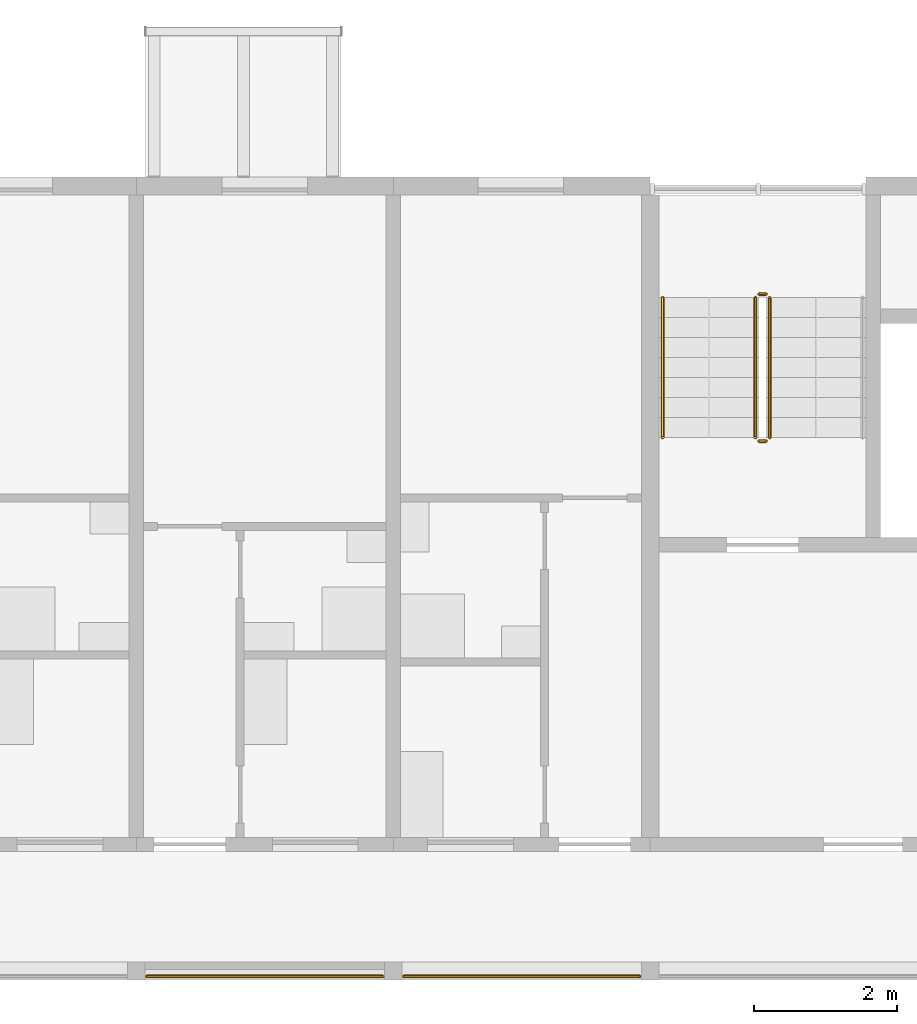
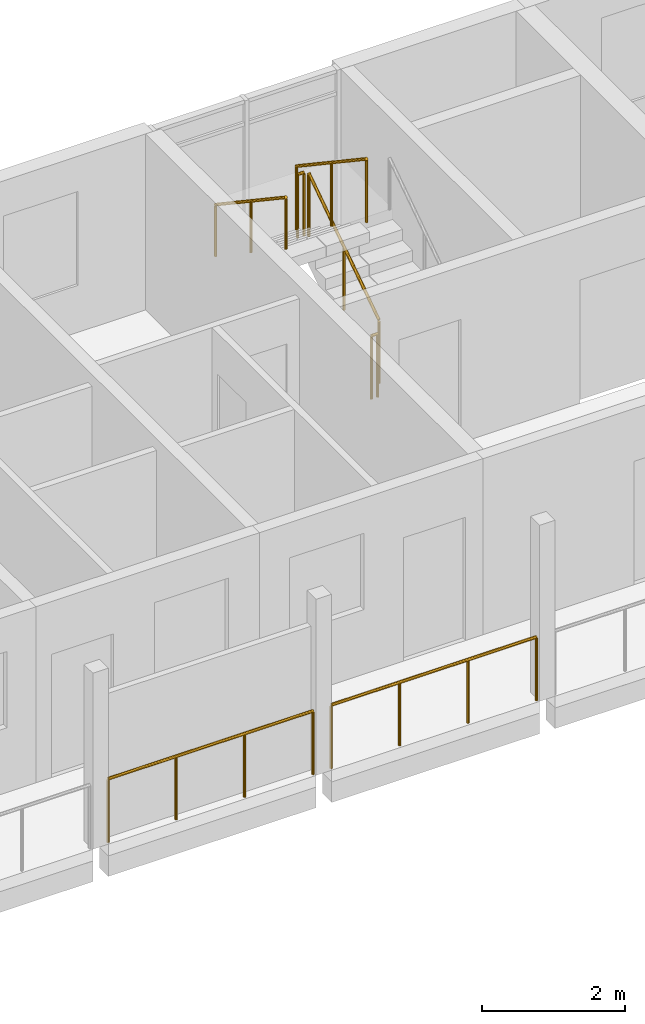
# One storey, part 75 of 94: 7 railings.
"""IFC4 building model written with IfcOpenShell, lengths in metres."""

from ifc_helpers import new_model, si_unit, direction, frame, origin, origin_2d, place, context, subcontext, project, spatial, circle, extrude, material, type_object, element, save


model = new_model("IFC4")

# Units and contexts
model_context = context("Model", 3, precision=1e-05, world=origin(), true_north=direction((0.0, 1.0)))
body_context = subcontext(model_context, "Body", "Model", "MODEL_VIEW")
ifc_project = project(units=[si_unit("LENGTHUNIT", "METRE"), si_unit("AREAUNIT", "SQUARE_METRE"), si_unit("VOLUMEUNIT", "CUBIC_METRE"), si_unit("PLANEANGLEUNIT", "RADIAN"), si_unit("MASSUNIT", "GRAM", prefix="KILO")], contexts=[model_context])

# Site, building, storey
site_placement = place(None, origin())
site = spatial("IfcSite", under=ifc_project, at=site_placement, CompositionType="ELEMENT")
building_placement = place(site_placement, origin())
building = spatial("IfcBuilding", under=site, at=building_placement, Name="Ridgestep Commons", CompositionType="ELEMENT")
storey_placement = place(building_placement, frame((0.0, 0.0, 24.0)))
storey = spatial("IfcBuildingStorey", under=building, at=storey_placement, Name="L08", CompositionType="ELEMENT", Elevation=24.0)

# Railings
ifc_material_1 = material(Name="Structural steel S355JR", Category="steel")
railing_type_1 = type_object("IfcRailingType", Name="Guard 1100", PredefinedType="GUARDRAIL", material=ifc_material_1)
railing_1_placement = place(storey_placement, frame((66.14599609375, 11.800048828125, 0.0)))
element("IfcRailing", 1, at=railing_1_placement, inside=storey, type_object=railing_type_1, Name="Gallery guard A 08.14", PredefinedType="GUARDRAIL", context=body_context, shape_type="SweptSolid", body=[
    extrude(circle(Radius=0.02392578125, at=origin_2d()), frame((0.0, 0.0, 1.076171875), z_axis=(1.0, 0.0, 0.0), x_axis=(0.0, 1.0, 0.0)), (0.0, 0.0, 1.0), 3.30810546875),
    extrude(circle(Radius=0.02099609375, at=origin_2d()), origin(), (0.0, 0.0, 1.0), 1.052001953125),
    extrude(circle(Radius=0.02099609375, at=origin_2d()), frame((1.102783203125, 0.0, 0.0)), (0.0, 0.0, 1.0), 1.052001953125),
    extrude(circle(Radius=0.02099609375, at=origin_2d()), frame((2.205322265625, 0.0, 0.0)), (0.0, 0.0, 1.0), 1.052001953125),
    extrude(circle(Radius=0.02099609375, at=origin_2d()), frame((3.30810546875, 0.0, 0.0)), (0.0, 0.0, 1.0), 1.052001953125),
])
railing_2_placement = place(storey_placement, frame((69.74609375, 11.800048828125, 0.0)))
element("IfcRailing", 2, at=railing_2_placement, inside=storey, type_object=railing_type_1, Name="Gallery guard A 08.15", PredefinedType="GUARDRAIL", context=body_context, shape_type="SweptSolid", body=[
    extrude(circle(Radius=0.02392578125, at=origin_2d()), frame((0.0, 0.0, 1.076171875), z_axis=(1.0, 0.0, 0.0), x_axis=(0.0, 1.0, 0.0)), (0.0, 0.0, 1.0), 3.307861328125),
    extrude(circle(Radius=0.02099609375, at=origin_2d()), origin(), (0.0, 0.0, 1.0), 1.052001953125),
    extrude(circle(Radius=0.02099609375, at=origin_2d()), frame((1.1025390625, 0.0, 0.0)), (0.0, 0.0, 1.0), 1.052001953125),
    extrude(circle(Radius=0.02099609375, at=origin_2d()), frame((2.205322265625, 0.0, 0.0)), (0.0, 0.0, 1.0), 1.052001953125),
    extrude(circle(Radius=0.02099609375, at=origin_2d()), frame((3.307861328125, 0.0, 0.0)), (0.0, 0.0, 1.0), 1.052001953125),
])
ifc_material_2 = material(Name="Structural steel S355JR", Category="steel")
railing_type_2 = type_object("IfcRailingType", Name="Stair guard 1100", PredefinedType="GUARDRAIL", material=ifc_material_2)
railing_3_placement = place(storey_placement, frame((74.875, 19.35009765625, 0.1875)))
element("IfcRailing", 3, at=railing_3_placement, inside=storey, type_object=railing_type_2, Name="L08 A4C stair guard 1", PredefinedType="GUARDRAIL", context=body_context, shape_type="SweptSolid", body=[
    extrude(circle(Radius=0.02392578125, at=origin_2d()), frame((0.0, 0.0, 1.076171875), z_axis=(0.0, 0.830902050051, 0.556418712142), x_axis=(-1.0, 0.0, 0.0)), (0.0, 0.0, 1.0), 2.35888671875),
    extrude(circle(Radius=0.02099609375, at=origin_2d()), origin(), (0.0, 0.0, 1.0), 1.052001953125),
    extrude(circle(Radius=0.02099609375, at=origin_2d()), frame((0.0, 0.97998046875, 0.65625)), (0.0, 0.0, 1.0), 1.052001953125),
    extrude(circle(Radius=0.02099609375, at=origin_2d()), frame((0.0, 1.9599609375, 1.3125)), (0.0, 0.0, 1.0), 1.052001953125),
])
railing_4_placement = place(storey_placement, frame((74.824951171875, 21.360107421875, 1.5)))
element("IfcRailing", 4, at=railing_4_placement, inside=storey, type_object=railing_type_2, Name="L08 A4C stair guard 2", PredefinedType="GUARDRAIL", context=body_context, shape_type="SweptSolid", body=[
    extrude(circle(Radius=0.02392578125, at=origin_2d()), frame((0.0, 0.0, 1.076171875), z_axis=(-1.0, 0.0, 0.0), x_axis=(0.0, -1.0, 0.0)), (0.0, 0.0, 1.0), 0.099853515625),
    extrude(circle(Radius=0.02099609375, at=origin_2d()), origin(), (0.0, 0.0, 1.0), 1.052001953125),
    extrude(circle(Radius=0.02099609375, at=origin_2d()), frame((-0.099853515625, 0.0, 0.0)), (0.0, 0.0, 1.0), 1.052001953125),
])
railing_5_placement = place(storey_placement, frame((74.675048828125, 21.31005859375, 1.6875)))
element("IfcRailing", 5, at=railing_5_placement, inside=storey, type_object=railing_type_2, Name="L08 A4C stair guard 3", PredefinedType="GUARDRAIL", context=body_context, shape_type="SweptSolid", body=[
    extrude(circle(Radius=0.02392578125, at=origin_2d()), frame((0.0, 0.0, 1.076171875), z_axis=(0.0, -0.830902050051, 0.556418712142), x_axis=(1.0, 0.0, 0.0)), (0.0, 0.0, 1.0), 2.35888671875),
    extrude(circle(Radius=0.02099609375, at=origin_2d()), origin(), (0.0, 0.0, 1.0), 1.052001953125),
    extrude(circle(Radius=0.02099609375, at=origin_2d()), frame((0.0, -0.97998046875, 0.65625)), (0.0, 0.0, 1.0), 1.052001953125),
    extrude(circle(Radius=0.02099609375, at=origin_2d()), frame((0.0, -1.9599609375, 1.3125)), (0.0, 0.0, 1.0), 1.052001953125),
])
railing_6_placement = place(storey_placement, frame((74.824951171875, 19.300048828125, 0.0)))
element("IfcRailing", 6, at=railing_6_placement, inside=storey, type_object=railing_type_2, Name="L08 A4C stair guard 4", PredefinedType="GUARDRAIL", context=body_context, shape_type="SweptSolid", body=[
    extrude(circle(Radius=0.02392578125, at=origin_2d()), frame((0.0, 0.0, 1.076171875), z_axis=(-1.0, 0.0, 0.0), x_axis=(0.0, -1.0, 0.0)), (0.0, 0.0, 1.0), 0.099853515625),
    extrude(circle(Radius=0.02099609375, at=origin_2d()), origin(), (0.0, 0.0, 1.0), 1.052001953125),
    extrude(circle(Radius=0.02099609375, at=origin_2d()), frame((-0.099853515625, 0.0, 0.0)), (0.0, 0.0, 1.0), 1.052001953125),
])
ifc_material_3 = material(Name="Structural steel S355JR", Category="steel")
railing_type_3 = type_object("IfcRailingType", Name="Stair handrail 900", PredefinedType="HANDRAIL", material=ifc_material_3)
railing_7_placement = place(storey_placement, frame((73.375, 21.31005859375, 1.6875)))
element("IfcRailing", 7, at=railing_7_placement, inside=storey, type_object=railing_type_3, Name="L08 A4C stair handrail 2", PredefinedType="HANDRAIL", context=body_context, shape_type="SweptSolid", body=[
    extrude(circle(Radius=0.02392578125, at=origin_2d()), frame((0.0, 0.0, 0.8759765625), z_axis=(0.0, -0.830902050051, 0.556418712142), x_axis=(1.0, 0.0, 0.0)), (0.0, 0.0, 1.0), 2.35888671875),
    extrude(circle(Radius=0.02099609375, at=origin_2d()), origin(), (0.0, 0.0, 1.0), 0.851806640625),
    extrude(circle(Radius=0.02099609375, at=origin_2d()), frame((0.0, -0.97998046875, 0.65625)), (0.0, 0.0, 1.0), 0.851806640625),
    extrude(circle(Radius=0.02099609375, at=origin_2d()), frame((0.0, -1.9599609375, 1.3125)), (0.0, 0.0, 1.0), 0.851806640625),
])

save(model, "model.ifc")
